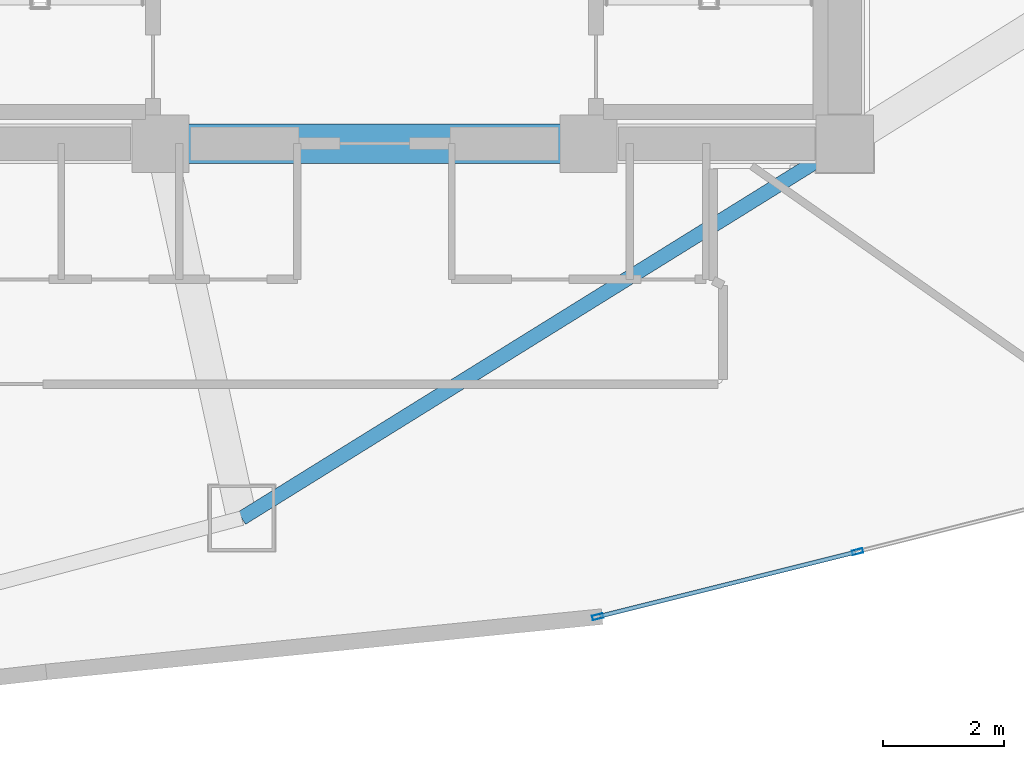
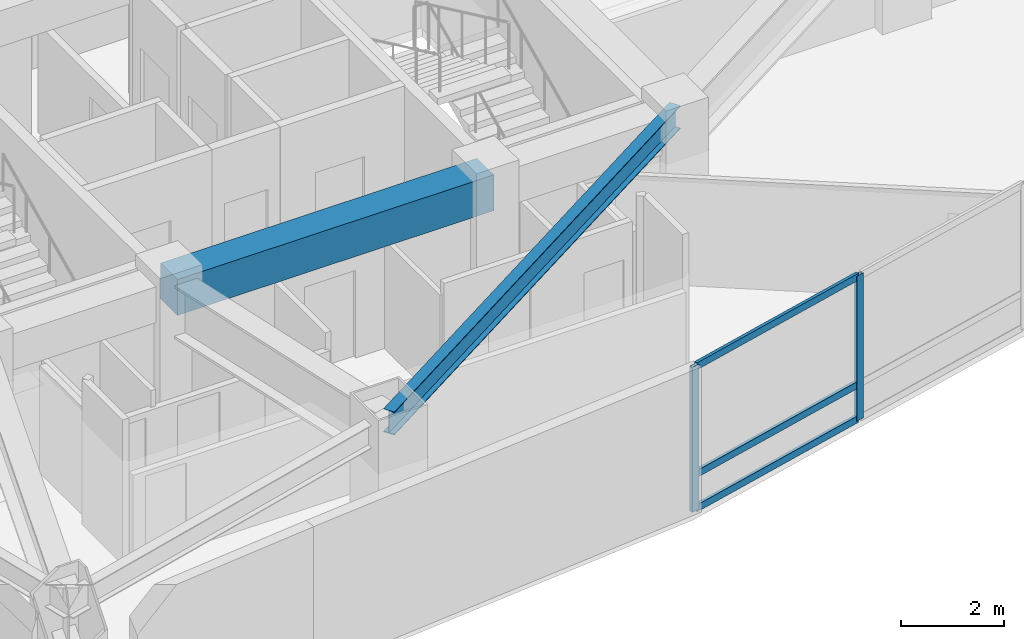
# One storey, part 4 of 18: 5 members, 2 beams, 1 element without a shape of its own.
"""IFC4 building model written with IfcOpenShell, lengths in metres."""

from ifc_helpers import new_model, si_unit, direction, frame, origin, origin_2d, place, context, subcontext, project, spatial, rectangle, hollow_rectangle, i_section, extrude, material, layer, layer_set, material_profile, profile_set, type_object, element, aggregate, save


model = new_model("IFC4")

# Units and contexts
model_context = context("Model", 3, precision=1e-05, world=origin(), true_north=direction((0.0, 1.0)))
body_context = subcontext(model_context, "Body", "Model", "MODEL_VIEW")
ifc_project = project(units=[si_unit("LENGTHUNIT", "METRE"), si_unit("AREAUNIT", "SQUARE_METRE"), si_unit("VOLUMEUNIT", "CUBIC_METRE"), si_unit("PLANEANGLEUNIT", "RADIAN"), si_unit("MASSUNIT", "GRAM", prefix="KILO")], contexts=[model_context])

# Site, building, storey
site_placement = place(None, origin())
site = spatial("IfcSite", under=ifc_project, at=site_placement, CompositionType="ELEMENT")
building_placement = place(site_placement, origin())
building = spatial("IfcBuilding", under=site, at=building_placement, Name="Menara Vayukalpa", CompositionType="ELEMENT")
storey_placement = place(building_placement, frame((0.0, 0.0, 169.199951171875)))
storey = spatial("IfcBuildingStorey", under=building, at=storey_placement, Name="L42", CompositionType="ELEMENT", Elevation=169.199951171875)

# Beams
ifc_material_1 = material(Name="Concrete C60/75", Category="concrete")
ifc_material_profile_1 = material_profile(ifc_material_1, rectangle(XDim=0.64990234375, YDim=0.85009765625, at=origin_2d()), Name="RC 650x850")
ifc_profile_set_1 = profile_set([ifc_material_profile_1], Name="Concrete C60/75")
beam_type_1 = type_object("IfcBeamType", Name="BM-CB1", PredefinedType="BEAM", material=ifc_profile_set_1)
beam_1_placement = place(storey_placement, frame((22.050048828125, 17.199951171875, 3.01513671875), z_axis=(1.0, 0.0, 0.0), x_axis=(0.0, 1.0, 0.0)))
element("IfcBeam", 1, at=beam_1_placement, inside=storey, type_object=beam_type_1, Name="L42 Core Tie Beam CBR2", PredefinedType="BEAM", context=body_context, shape_type="SweptSolid", body=[
    extrude(rectangle(XDim=0.64990234375, YDim=0.85009765625, at=origin_2d()), origin(), (0.0, 0.0, 1.0), 7.099853515625),
])
ifc_material_2 = material(Name="Steel S355", Category="steel")
ifc_material_profile_2 = material_profile(ifc_material_2, i_section(OverallWidth=0.239990234375, OverallDepth=0.550048828125, WebThickness=0.010986328125, FlangeThickness=0.01904296875, at=origin_2d()), Name="WF 550x240x11x19")
ifc_profile_set_2 = profile_set([ifc_material_profile_2], Name="Steel S355")
beam_type_2 = type_object("IfcBeamType", Name="BM-SP2", PredefinedType="SPANDREL", material=ifc_profile_set_2)
beam_2_placement = place(storey_placement, frame((23.39697265625, 10.988037109375, 3.1650390625), z_axis=(0.849518408464, 0.527558976495, 0.0), x_axis=(-0.527558976495, 0.849518408464, 0.0)))
element("IfcBeam", 2, at=beam_2_placement, inside=storey, type_object=beam_type_2, Name="L42 Perimeter Spandrel Beam SP08", PredefinedType="SPANDREL", context=body_context, shape_type="SweptSolid", body=[
    extrude(i_section(OverallWidth=0.239990234375, OverallDepth=0.550048828125, WebThickness=0.010986328125, FlangeThickness=0.01904296875, at=origin_2d()), origin(), (0.0, 0.0, 1.0), 11.77490234375),
])

# Curtain wall, members
ifc_material_3 = material(Name="Anodised Terracotta Aluminium Alloy 6063-T6", Category="masonry")
ifc_layer = layer(ifc_material_3, 0.179931640625)
ifc_layer_set = layer_set([ifc_layer], Name="Anodised Terracotta Aluminium Alloy 6063-T6")
curtain_wall_type = type_object("IfcCurtainWallType", Name="CW-CW4", PredefinedType="USERDEFINED", material=ifc_layer_set)
curtain_wall_placement = place(storey_placement, origin())
curtain_wall = element("IfcCurtainWall", 3, at=curtain_wall_placement, inside=storey, type_object=curtain_wall_type, Name="L42 Sky Bar Cantilever Glazed Curtain Wall CW4 16", ObjectType="UNITISED", PredefinedType="USERDEFINED")
ifc_material_4 = material(Name="Anodised Terracotta Aluminium Alloy 6063-T6", Category="masonry")
ifc_material_profile_3 = material_profile(ifc_material_4, hollow_rectangle(XDim=0.074951171875, YDim=0.179931640625, WallThickness=0.00390625, at=origin_2d()), Name="ALU 75x180x4")
ifc_profile_set_3 = profile_set([ifc_material_profile_3], Name="Anodised Terracotta Aluminium Alloy 6063-T6")
member_type_1 = type_object("IfcMemberType", Name="CWM-CW4", PredefinedType="MULLION", material=ifc_profile_set_3)
member_1_placement = place(storey_placement, frame((29.302001953125, 9.35205078125, 0.0), z_axis=(0.0, 0.0, 1.0), x_axis=(-0.243112993066, 0.969997975566, 0.0)))
member_1 = element("IfcMember", 4, at=member_1_placement, type_object=member_type_1, Name="CW4 mullion 1", PredefinedType="MULLION", context=body_context, shape_type="SweptSolid", body=[
    extrude(hollow_rectangle(XDim=0.074951171875, YDim=0.179931640625, WallThickness=0.00390625, at=origin_2d()), origin(), (0.0, 0.0, 1.0), 3.43994140625),
])
member_2_placement = place(storey_placement, frame((33.61376953125, 10.4326171875, 0.0), z_axis=(0.0, 0.0, 1.0), x_axis=(-0.243112993066, 0.969997975566, 0.0)))
member_2 = element("IfcMember", 5, at=member_2_placement, type_object=member_type_1, Name="CW4 mullion 2", PredefinedType="MULLION", context=body_context, shape_type="SweptSolid", body=[
    extrude(hollow_rectangle(XDim=0.074951171875, YDim=0.179931640625, WallThickness=0.00390625, at=origin_2d()), origin(), (0.0, 0.0, 1.0), 3.43994140625),
])
ifc_material_5 = material(Name="Anodised Terracotta Aluminium Alloy 6063-T6", Category="masonry")
ifc_material_profile_4 = material_profile(ifc_material_5, hollow_rectangle(XDim=0.070068359375, YDim=0.1650390625, WallThickness=0.00390625, at=origin_2d()), Name="ALU 70x165x4")
ifc_profile_set_4 = profile_set([ifc_material_profile_4], Name="Anodised Terracotta Aluminium Alloy 6063-T6")
member_type_2 = type_object("IfcMemberType", Name="CWT-CW4", PredefinedType="USERDEFINED", material=ifc_profile_set_4)
member_3_placement = place(storey_placement, frame((29.33837890625, 9.361083984375, 0.03515625), z_axis=(0.969994440281, 0.243127098088, 0.0), x_axis=(-0.243127098088, 0.969994440281, 0.0)))
member_3 = element("IfcMember", 6, at=member_3_placement, type_object=member_type_2, Name="CW4 transom 1.1", ObjectType="TRANSOM", PredefinedType="USERDEFINED", context=body_context, shape_type="SweptSolid", body=[
    extrude(hollow_rectangle(XDim=0.070068359375, YDim=0.1650390625, WallThickness=0.00390625, at=origin_2d()), origin(), (0.0, 0.0, 1.0), 4.3701171875),
])
member_4_placement = place(storey_placement, frame((29.33837890625, 9.361083984375, 0.85009765625), z_axis=(0.969994440281, 0.243127098088, 0.0), x_axis=(-0.243127098088, 0.969994440281, 0.0)))
member_4 = element("IfcMember", 7, at=member_4_placement, type_object=member_type_2, Name="CW4 transom 1.2", ObjectType="TRANSOM", PredefinedType="USERDEFINED", context=body_context, shape_type="SweptSolid", body=[
    extrude(hollow_rectangle(XDim=0.070068359375, YDim=0.1650390625, WallThickness=0.00390625, at=origin_2d()), origin(), (0.0, 0.0, 1.0), 4.3701171875),
])
member_5_placement = place(storey_placement, frame((29.33837890625, 9.361083984375, 3.405029296875), z_axis=(0.969994440281, 0.243127098088, 0.0), x_axis=(-0.243127098088, 0.969994440281, 0.0)))
member_5 = element("IfcMember", 8, at=member_5_placement, type_object=member_type_2, Name="CW4 transom 1.3", ObjectType="TRANSOM", PredefinedType="USERDEFINED", context=body_context, shape_type="SweptSolid", body=[
    extrude(hollow_rectangle(XDim=0.070068359375, YDim=0.1650390625, WallThickness=0.00390625, at=origin_2d()), origin(), (0.0, 0.0, 1.0), 4.3701171875),
])
aggregate(curtain_wall, [member_1, member_2, member_3, member_4, member_5])

save(model, "model.ifc")
